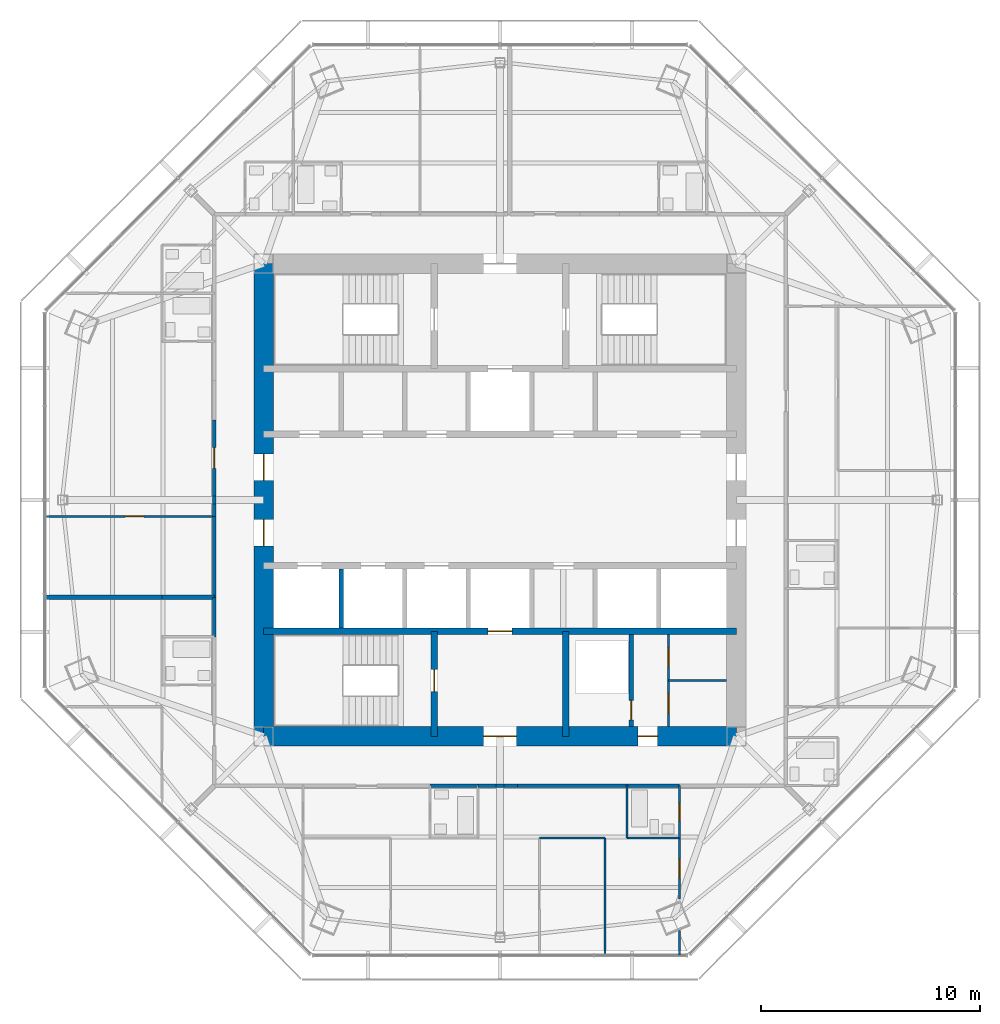
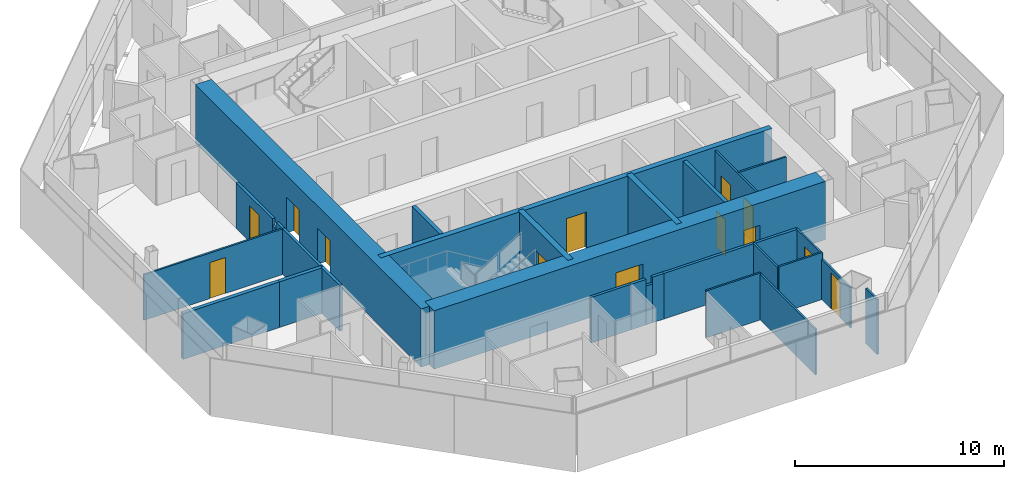
# One storey, part 9 of 14: 30 walls, 13 doors, 13 openings.
"""IFC4 building model written with IfcOpenShell, lengths in metres."""

from ifc_helpers import new_model, si_unit, direction, frame, frame_2d, origin, place, context, subcontext, project, spatial, rectangle, extrude, material, layer, layer_set, type_object, element, fill, save


model = new_model("IFC4")

# Units and contexts
model_context = context("Model", 3, precision=1e-05, world=origin(), true_north=direction((0.0, 1.0)))
body_context = subcontext(model_context, "Body", "Model", "MODEL_VIEW")
ifc_project = project(units=[si_unit("LENGTHUNIT", "METRE"), si_unit("AREAUNIT", "SQUARE_METRE"), si_unit("VOLUMEUNIT", "CUBIC_METRE"), si_unit("PLANEANGLEUNIT", "RADIAN"), si_unit("MASSUNIT", "GRAM", prefix="KILO")], contexts=[model_context])

# Site, building, storey
site_placement = place(None, origin())
site = spatial("IfcSite", under=ifc_project, at=site_placement, CompositionType="ELEMENT")
building_placement = place(site_placement, origin())
building = spatial("IfcBuilding", under=site, at=building_placement, Name="Mashrafa Tower", CompositionType="ELEMENT")
storey_placement = place(building_placement, frame((0.0, 0.0, 255.0)))
storey = spatial("IfcBuildingStorey", under=building, at=storey_placement, Name="L61", CompositionType="ELEMENT", Elevation=255.0)

# Walls
ifc_material_1 = material(Name="Gypsum board on steel studs", Category="steel")
ifc_layer_1 = layer(ifc_material_1, 0.199951171875)
ifc_layer_set_1 = layer_set([ifc_layer_1], Name="Acoustic partition 200 1 hr")
wall_type_1 = type_object("IfcWallType", Name="Acoustic partition 200 1 hr", PredefinedType="PARTITIONING", material=ifc_layer_set_1)
wall_1_placement = place(storey_placement, frame((-15.450927734375, -4.449951171875, 0.0), z_axis=(0.0, 0.0, 1.0), x_axis=(1.0, 0.0, 0.0)))
element("IfcWall", 1, at=wall_1_placement, inside=storey, type_object=wall_type_1, Name="Acoustic wall L61-079", PredefinedType="PARTITIONING", context=body_context, shape_type="SweptSolid", body=[
    extrude(rectangle(XDim=2.40087890625, YDim=0.199951171875, at=frame_2d((1.200439453125, 0.0))), origin(), (0.0, 0.0, 1.0), 2.66162109375),
])
wall_2_placement = place(storey_placement, frame((-20.783203125, -4.449951171875, 0.0), z_axis=(0.0, 0.0, 1.0), x_axis=(1.0, 0.0, 0.0)))
element("IfcWall", 2, at=wall_2_placement, inside=storey, type_object=wall_type_1, Name="Acoustic wall L61-080", PredefinedType="PARTITIONING", context=body_context, shape_type="SweptSolid", body=[
    extrude(rectangle(XDim=5.334228515625, YDim=0.199951171875, at=frame_2d((2.6669921875, 0.0))), origin(), (0.0, 0.0, 1.0), 2.66162109375),
])

# Wall, opening, door
ifc_material_2 = material(Name="Concrete masonry unit", Category="masonry")
ifc_layer_2 = layer(ifc_material_2, 0.199951171875)
ifc_layer_set_2 = layer_set([ifc_layer_2], Name="Blockwork wall 200 2 hr")
wall_type_2 = type_object("IfcWallType", Name="Blockwork wall 200 2 hr", PredefinedType="PARTITIONING", material=ifc_layer_set_2)
wall_3_placement = place(storey_placement, frame((6.0, -10.35009765625, 0.0), z_axis=(0.0, 0.0, 1.0), x_axis=(0.0, 1.0, 0.0)))
wall_3 = element("IfcWall", 3, at=wall_3_placement, inside=storey, type_object=wall_type_2, Name="Riser enclosure wall L61", PredefinedType="PARTITIONING", context=body_context, shape_type="SweptSolid", body=[
    extrude(rectangle(XDim=4.2001953125, YDim=0.199951171875, at=frame_2d((2.10009765625, 0.0))), origin(), (0.0, 0.0, 1.0), 3.199951171875),
])
opening_1_placement = place(wall_3_placement, frame((0.300048828125, 0.0, 0.0)))
opening_1 = element("IfcOpeningElement", 4, at=opening_1_placement, cuts=wall_3, Name="Opening 61.041", PredefinedType="OPENING", context=body_context, shape_type="SweptSolid", body=[
    extrude(rectangle(XDim=0.89990234375, YDim=2.10009765625, at=frame_2d((0.449951171875, 1.050048828125))), frame((0.0, 0.10986328125, 0.0), z_axis=(0.0, -1.0, 0.0), x_axis=(1.0, 0.0, 0.0)), (0.0, 0.0, 1.0), 0.219970703125),
])
ifc_material_3 = material(Name="Steel door", Category="steel")
door_type_1 = type_object("IfcDoorType", Name="Service door 900 x 2100 90 min", OperationType="USERDEFINED", PredefinedType="DOOR", material=ifc_material_3)
door_1_placement = place(opening_1_placement, origin())
door_1 = element("IfcDoor", 5, at=door_1_placement, inside=storey, type_object=door_type_1, Name="Riser door L61", OperationType="SINGLE_SWING_LEFT", OverallHeight=2.10009765625, OverallWidth=0.89990234375, PredefinedType="DOOR", context=body_context, shape_type="SweptSolid", body=[
    extrude(rectangle(XDim=0.89990234375, YDim=2.10009765625, at=frame_2d((0.449951171875, 1.050048828125))), frame((0.0, 0.02490234375, 0.0), z_axis=(0.0, -1.0, 0.0), x_axis=(1.0, 0.0, 0.0)), (0.0, 0.0, 1.0), 0.050048828125),
])
fill(opening_1, door_1)

ifc_material_4 = material(Name="Concrete C50/60", Category="concrete")
ifc_layer_3 = layer(ifc_material_4, 0.300048828125)
ifc_layer_set_3 = layer_set([ifc_layer_3], Name="Core wall 300 C50/60")
wall_type_3 = type_object("IfcWallType", Name="Core wall 300 C50/60", PredefinedType="SOLIDWALL", material=ifc_layer_set_3)
wall_4_placement = place(storey_placement, frame((-10.800048828125, -6.0, 0.0), z_axis=(0.0, 0.0, 1.0), x_axis=(1.0, 0.0, 0.0)))
wall_4 = element("IfcWall", 6, at=wall_4_placement, inside=storey, type_object=wall_type_3, Name="Core wall CB-S L61", PredefinedType="SOLIDWALL", context=body_context, shape_type="SweptSolid", body=[
    extrude(rectangle(XDim=21.60009765625, YDim=0.300048828125, at=frame_2d((10.800048828125, 0.0))), origin(), (0.0, 0.0, 1.0), 3.39990234375),
])
opening_2_placement = place(wall_4_placement, frame((10.25, 0.0, 0.0)))
opening_2 = element("IfcOpeningElement", 7, at=opening_2_placement, cuts=wall_4, Name="Opening 61.F2", PredefinedType="OPENING", context=body_context, shape_type="SweptSolid", body=[
    extrude(rectangle(XDim=1.10009765625, YDim=2.10009765625, at=frame_2d((0.550048828125, 1.050048828125))), frame((0.0, 0.159912109375, 0.0), z_axis=(0.0, -1.0, 0.0), x_axis=(1.0, 0.0, 0.0)), (0.0, 0.0, 1.0), 0.320068359375),
])
ifc_material_5 = material(Name="Steel door", Category="steel")
door_type_2 = type_object("IfcDoorType", Name="Lift landing door 1100 x 2100 90 min", OperationType="DOUBLE_DOOR_SLIDING", PredefinedType="DOOR", material=ifc_material_5)
door_2_placement = place(opening_2_placement, origin())
door_2 = element("IfcDoor", 8, at=door_2_placement, inside=storey, type_object=door_type_2, Name="Lift landing door F2 L61", OperationType="DOUBLE_DOOR_SLIDING", OverallHeight=2.10009765625, OverallWidth=1.10009765625, PredefinedType="DOOR", context=body_context, shape_type="SweptSolid", body=[
    extrude(rectangle(XDim=1.10009765625, YDim=2.10009765625, at=frame_2d((0.550048828125, 1.050048828125))), frame((0.0, 0.02490234375, 0.0), z_axis=(0.0, -1.0, 0.0), x_axis=(1.0, 0.0, 0.0)), (0.0, 0.0, 1.0), 0.050048828125),
])
fill(opening_2, door_2)

wall_5_placement = place(storey_placement, frame((-3.0, -6.0, 0.0), z_axis=(0.0, 0.0, 1.0), x_axis=(0.0, -1.0, 0.0)))
wall_5 = element("IfcWall", 9, at=wall_5_placement, inside=storey, type_object=wall_type_3, Name="Core wall CX-SW L61", PredefinedType="SOLIDWALL", context=body_context, shape_type="SweptSolid", body=[
    extrude(rectangle(XDim=4.800048828125, YDim=0.300048828125, at=frame_2d((2.39990234375, 0.0))), origin(), (0.0, 0.0, 1.0), 3.39990234375),
])
opening_3_placement = place(wall_5_placement, frame((1.75, 0.0, 0.0)))
opening_3 = element("IfcOpeningElement", 10, at=opening_3_placement, cuts=wall_5, Name="Opening 61.039", PredefinedType="OPENING", context=body_context, shape_type="SweptSolid", body=[
    extrude(rectangle(XDim=1.0, YDim=2.10009765625, at=frame_2d((0.5, 1.050048828125))), frame((0.0, 0.159912109375, 0.0), z_axis=(0.0, -1.0, 0.0), x_axis=(1.0, 0.0, 0.0)), (0.0, 0.0, 1.0), 0.320068359375),
])
ifc_material_6 = material(Name="Steel door", Category="steel")
door_type_3 = type_object("IfcDoorType", Name="Stair door 1000 x 2100 90 min", OperationType="USERDEFINED", PredefinedType="DOOR", material=ifc_material_6)
door_3_placement = place(opening_3_placement, frame((1.0, 0.0, 0.0), z_axis=(0.0, 0.0, 1.0), x_axis=(-1.0, 0.0, 0.0)))
door_3 = element("IfcDoor", 11, at=door_3_placement, inside=storey, type_object=door_type_3, Name="Stair S3 door L61", OperationType="SINGLE_SWING_RIGHT", OverallHeight=2.10009765625, OverallWidth=1.0, PredefinedType="DOOR", context=body_context, shape_type="SweptSolid", body=[
    extrude(rectangle(XDim=1.0, YDim=2.10009765625, at=frame_2d((0.5, 1.050048828125))), frame((0.0, 0.02490234375, 0.0), z_axis=(0.0, -1.0, 0.0), x_axis=(1.0, 0.0, 0.0)), (0.0, 0.0, 1.0), 0.050048828125),
])
fill(opening_3, door_3)

# Wall
wall_6_placement = place(storey_placement, frame((3.0, -6.0, 0.0), z_axis=(0.0, 0.0, 1.0), x_axis=(0.0, -1.0, 0.0)))
element("IfcWall", 12, at=wall_6_placement, inside=storey, type_object=wall_type_3, Name="Core wall CX-SE L61", PredefinedType="SOLIDWALL", context=body_context, shape_type="SweptSolid", body=[
    extrude(rectangle(XDim=4.800048828125, YDim=0.300048828125, at=frame_2d((2.39990234375, 0.0))), origin(), (0.0, 0.0, 1.0), 3.39990234375),
])

# Wall, openings, doors
ifc_material_7 = material(Name="Concrete C50/60", Category="concrete")
ifc_layer_4 = layer(ifc_material_7, 0.89990234375)
ifc_layer_set_4 = layer_set([ifc_layer_4], Name="Core wall 900 C50/60")
wall_type_4 = type_object("IfcWallType", Name="Core wall 900 C50/60", PredefinedType="SOLIDWALL", material=ifc_layer_set_4)
wall_7_placement = place(storey_placement, frame((-10.800048828125, -10.800048828125, 0.0), z_axis=(0.0, 0.0, 1.0), x_axis=(1.0, 0.0, 0.0)))
wall_7 = element("IfcWall", 13, at=wall_7_placement, inside=storey, type_object=wall_type_4, Name="Core wall CW-S L61", PredefinedType="SOLIDWALL", context=body_context, shape_type="SweptSolid", body=[
    extrude(rectangle(XDim=21.60009765625, YDim=0.89990234375, at=frame_2d((10.800048828125, 0.0))), origin(), (0.0, 0.0, 1.0), 3.39990234375),
])
opening_4_placement = place(wall_7_placement, frame((10.050048828125, 0.0, 0.0)))
opening_4 = element("IfcOpeningElement", 14, at=opening_4_placement, cuts=wall_7, Name="Opening 61.036", PredefinedType="OPENING", context=body_context, shape_type="SweptSolid", body=[
    extrude(rectangle(XDim=1.5, YDim=2.10009765625, at=frame_2d((0.75, 1.050048828125))), frame((0.0, 0.4599609375, 0.0), z_axis=(0.0, -1.0, 0.0), x_axis=(1.0, 0.0, 0.0)), (0.0, 0.0, 1.0), 0.919921875),
])
opening_5_placement = place(wall_7_placement, frame((17.10009765625, 0.0, 0.0)))
opening_5 = element("IfcOpeningElement", 15, at=opening_5_placement, cuts=wall_7, Name="Opening 61.040", PredefinedType="OPENING", context=body_context, shape_type="SweptSolid", body=[
    extrude(rectangle(XDim=0.89990234375, YDim=2.10009765625, at=frame_2d((0.449951171875, 1.050048828125))), frame((0.0, 0.4599609375, 0.0), z_axis=(0.0, -1.0, 0.0), x_axis=(1.0, 0.0, 0.0)), (0.0, 0.0, 1.0), 0.919921875),
])
ifc_material_8 = material(Name="Steel door", Category="steel")
door_type_4 = type_object("IfcDoorType", Name="Lobby door pair 1500 x 2100 90 min", OperationType="DOUBLE_DOOR_SINGLE_SWING", PredefinedType="DOOR", material=ifc_material_8)
door_4_placement = place(opening_4_placement, origin())
door_4 = element("IfcDoor", 16, at=door_4_placement, inside=storey, type_object=door_type_4, Name="Fire-fighting lobby F2 door L61", OperationType="DOUBLE_DOOR_SINGLE_SWING", OverallHeight=2.10009765625, OverallWidth=1.5, PredefinedType="DOOR", context=body_context, shape_type="SweptSolid", body=[
    extrude(rectangle(XDim=1.5, YDim=2.10009765625, at=frame_2d((0.75, 1.050048828125))), frame((0.0, 0.02490234375, 0.0), z_axis=(0.0, -1.0, 0.0), x_axis=(1.0, 0.0, 0.0)), (0.0, 0.0, 1.0), 0.050048828125),
])
fill(opening_4, door_4)
door_5_placement = place(opening_5_placement, frame((0.89990234375, 0.0, 0.0), z_axis=(0.0, 0.0, 1.0), x_axis=(-1.0, 0.0, 0.0)))
door_5 = element("IfcDoor", 17, at=door_5_placement, inside=storey, type_object=door_type_1, Name="Services Lobby L61 door", OperationType="SINGLE_SWING_LEFT", OverallHeight=2.10009765625, OverallWidth=0.89990234375, PredefinedType="DOOR", context=body_context, shape_type="SweptSolid", body=[
    extrude(rectangle(XDim=0.89990234375, YDim=2.10009765625, at=frame_2d((0.449951171875, 1.050048828125))), frame((0.0, 0.02490234375, 0.0), z_axis=(0.0, -1.0, 0.0), x_axis=(1.0, 0.0, 0.0)), (0.0, 0.0, 1.0), 0.050048828125),
])
fill(opening_5, door_5)

wall_8_placement = place(storey_placement, frame((-10.800048828125, 10.800048828125, 0.0), z_axis=(0.0, 0.0, 1.0), x_axis=(0.0, -1.0, 0.0)))
wall_8 = element("IfcWall", 18, at=wall_8_placement, inside=storey, type_object=wall_type_4, Name="Core wall CW-W L61", PredefinedType="SOLIDWALL", context=body_context, shape_type="SweptSolid", body=[
    extrude(rectangle(XDim=21.60009765625, YDim=0.89990234375, at=frame_2d((10.800048828125, 0.0))), origin(), (0.0, 0.0, 1.0), 3.39990234375),
])
opening_6_placement = place(wall_8_placement, frame((8.699951171875, 0.0, 0.0)))
opening_6 = element("IfcOpeningElement", 19, at=opening_6_placement, cuts=wall_8, Name="Opening 61.032", PredefinedType="OPENING", context=body_context, shape_type="SweptSolid", body=[
    extrude(rectangle(XDim=1.199951171875, YDim=2.10009765625, at=frame_2d((0.60009765625, 1.050048828125))), frame((0.0, 0.4599609375, 0.0), z_axis=(0.0, -1.0, 0.0), x_axis=(1.0, 0.0, 0.0)), (0.0, 0.0, 1.0), 0.919921875),
])
opening_7_placement = place(wall_8_placement, frame((11.699951171875, 0.0, 0.0)))
opening_7 = element("IfcOpeningElement", 20, at=opening_7_placement, cuts=wall_8, Name="Opening 61.034", PredefinedType="OPENING", context=body_context, shape_type="SweptSolid", body=[
    extrude(rectangle(XDim=1.199951171875, YDim=2.10009765625, at=frame_2d((0.60009765625, 1.050048828125))), frame((0.0, 0.4599609375, 0.0), z_axis=(0.0, -1.0, 0.0), x_axis=(1.0, 0.0, 0.0)), (0.0, 0.0, 1.0), 0.919921875),
])
ifc_material_9 = material(Name="Steel door", Category="steel")
door_type_5 = type_object("IfcDoorType", Name="Lift hall door 1200 x 2100 90 min", OperationType="USERDEFINED", PredefinedType="DOOR", material=ifc_material_9)
door_6_placement = place(opening_6_placement, frame((1.199951171875, 0.0, 0.0), z_axis=(0.0, 0.0, 1.0), x_axis=(-1.0, 0.0, 0.0)))
door_6 = element("IfcDoor", 21, at=door_6_placement, inside=storey, type_object=door_type_5, Name="Lift hall door west L61", OperationType="SINGLE_SWING_RIGHT", OverallHeight=2.10009765625, OverallWidth=1.199951171875, PredefinedType="DOOR", context=body_context, shape_type="SweptSolid", body=[
    extrude(rectangle(XDim=1.199951171875, YDim=2.10009765625, at=frame_2d((0.60009765625, 1.050048828125))), frame((0.0, 0.02490234375, 0.0), z_axis=(0.0, -1.0, 0.0), x_axis=(1.0, 0.0, 0.0)), (0.0, 0.0, 1.0), 0.050048828125),
])
fill(opening_6, door_6)
door_7_placement = place(opening_7_placement, frame((1.199951171875, 0.0, 0.0), z_axis=(0.0, 0.0, 1.0), x_axis=(-1.0, 0.0, 0.0)))
door_7 = element("IfcDoor", 22, at=door_7_placement, inside=storey, type_object=door_type_5, Name="Lift hall door west L61", OperationType="SINGLE_SWING_LEFT", OverallHeight=2.10009765625, OverallWidth=1.199951171875, PredefinedType="DOOR", context=body_context, shape_type="SweptSolid", body=[
    extrude(rectangle(XDim=1.199951171875, YDim=2.10009765625, at=frame_2d((0.60009765625, 1.050048828125))), frame((0.0, 0.02490234375, 0.0), z_axis=(0.0, -1.0, 0.0), x_axis=(1.0, 0.0, 0.0)), (0.0, 0.0, 1.0), 0.050048828125),
])
fill(opening_7, door_7)

# Wall
ifc_material_10 = material(Name="Gypsum board on steel studs", Category="steel")
ifc_layer_5 = layer(ifc_material_10, 0.14990234375)
ifc_layer_set_5 = layer_set([ifc_layer_5], Name="Corridor partition 150 1 hr")
wall_type_5 = type_object("IfcWallType", Name="Corridor partition 150 1 hr", PredefinedType="PARTITIONING", material=ifc_layer_set_5)
wall_9_placement = place(storey_placement, frame((-13.050048828125, -0.7490234375, 0.0), z_axis=(0.0, 0.0, 1.0), x_axis=(0.0, -1.0, 0.0)))
element("IfcWall", 23, at=wall_9_placement, inside=storey, type_object=wall_type_5, Name="Corridor wall L61-025", PredefinedType="PARTITIONING", context=body_context, shape_type="SweptSolid", body=[
    extrude(rectangle(XDim=3.701904296875, YDim=0.14990234375, at=frame_2d((1.85107421875, 0.0))), origin(), (0.0, 0.0, 1.0), 2.66162109375),
])

# Wall, opening, door
wall_10_placement = place(storey_placement, frame((-13.050048828125, 3.65087890625, 0.0), z_axis=(0.0, 0.0, 1.0), x_axis=(0.0, -1.0, 0.0)))
wall_10 = element("IfcWall", 24, at=wall_10_placement, inside=storey, type_object=wall_type_5, Name="Corridor wall L61-026", PredefinedType="PARTITIONING", context=body_context, shape_type="SweptSolid", body=[
    extrude(rectangle(XDim=3.468505859375, YDim=0.14990234375, at=frame_2d((1.734375, 0.0))), origin(), (0.0, 0.0, 1.0), 2.66162109375),
])
opening_8_placement = place(wall_10_placement, frame((1.25927734375, 0.0, 0.0)))
opening_8 = element("IfcOpeningElement", 25, at=opening_8_placement, cuts=wall_10, Name="Opening 61.020", PredefinedType="OPENING", context=body_context, shape_type="SweptSolid", body=[
    extrude(rectangle(XDim=0.949951171875, YDim=2.10009765625, at=frame_2d((0.47509765625, 1.050048828125))), frame((0.0, 0.0849609375, 0.0), z_axis=(0.0, -1.0, 0.0), x_axis=(1.0, 0.0, 0.0)), (0.0, 0.0, 1.0), 0.169921875),
])
ifc_material_11 = material(Name="Steel door", Category="steel")
door_type_6 = type_object("IfcDoorType", Name="Residence entrance door 950 x 2100 20 min", OperationType="USERDEFINED", PredefinedType="DOOR", material=ifc_material_11)
door_8_placement = place(opening_8_placement, frame((0.949951171875, 0.0, 0.0), z_axis=(0.0, 0.0, 1.0), x_axis=(-1.0, 0.0, 0.0)))
door_8 = element("IfcDoor", 26, at=door_8_placement, inside=storey, type_object=door_type_6, Name="Apartment 6104 Living Room door", OperationType="SINGLE_SWING_RIGHT", OverallHeight=2.10009765625, OverallWidth=0.949951171875, PredefinedType="DOOR", context=body_context, shape_type="SweptSolid", body=[
    extrude(rectangle(XDim=0.949951171875, YDim=2.10009765625, at=frame_2d((0.47509765625, 1.050048828125))), frame((0.0, 0.02490234375, 0.0), z_axis=(0.0, -1.0, 0.0), x_axis=(1.0, 0.0, 0.0)), (0.0, 0.0, 1.0), 0.050048828125),
])
fill(opening_8, door_8)

# Walls
wall_11_placement = place(storey_placement, frame((-13.050048828125, -0.182373046875, 0.0), z_axis=(0.0, 0.0, 1.0), x_axis=(0.0, -1.0, 0.0)))
element("IfcWall", 27, at=wall_11_placement, inside=storey, type_object=wall_type_5, Name="Corridor wall L61-027", PredefinedType="PARTITIONING", context=body_context, shape_type="SweptSolid", body=[
    extrude(rectangle(XDim=0.568603515625, YDim=0.14990234375, at=frame_2d((0.2841796875, 0.0))), origin(), (0.0, 0.0, 1.0), 2.66162109375),
])
wall_12_placement = place(storey_placement, frame((-13.050048828125, 0.182373046875, 0.0), z_axis=(0.0, 0.0, 1.0), x_axis=(0.0, -1.0, 0.0)))
element("IfcWall", 28, at=wall_12_placement, inside=storey, type_object=wall_type_5, Name="Corridor wall L61-028", PredefinedType="PARTITIONING", context=body_context, shape_type="SweptSolid", body=[
    extrude(rectangle(XDim=0.36474609375, YDim=0.14990234375, at=frame_2d((0.182373046875, 0.0))), origin(), (0.0, 0.0, 1.0), 2.26806640625),
])
wall_13_placement = place(storey_placement, frame((-13.050048828125, -4.448974609375, 0.0), z_axis=(0.0, 0.0, 1.0), x_axis=(0.0, -1.0, 0.0)))
element("IfcWall", 29, at=wall_13_placement, inside=storey, type_object=wall_type_5, Name="Corridor wall L61-031", PredefinedType="PARTITIONING", context=body_context, shape_type="SweptSolid", body=[
    extrude(rectangle(XDim=1.802001953125, YDim=0.14990234375, at=frame_2d((0.90087890625, 0.0))), origin(), (0.0, 0.0, 1.0), 2.66162109375),
])
wall_14_placement = place(storey_placement, frame((-3.200927734375, -13.050048828125, 0.0), z_axis=(0.0, 0.0, 1.0), x_axis=(1.0, 0.0, 0.0)))
element("IfcWall", 30, at=wall_14_placement, inside=storey, type_object=wall_type_5, Name="Corridor wall L61-034", PredefinedType="PARTITIONING", context=body_context, shape_type="SweptSolid", body=[
    extrude(rectangle(XDim=2.201904296875, YDim=0.14990234375, at=frame_2d((1.10107421875, 0.0))), origin(), (0.0, 0.0, 1.0), 2.66162109375),
])
wall_15_placement = place(storey_placement, frame((-1.0009765625, -13.050048828125, 0.0), z_axis=(0.0, 0.0, 1.0), x_axis=(1.0, 0.0, 0.0)))
element("IfcWall", 31, at=wall_15_placement, inside=storey, type_object=wall_type_5, Name="Corridor wall L61-035", PredefinedType="PARTITIONING", context=body_context, shape_type="SweptSolid", body=[
    extrude(rectangle(XDim=0.818603515625, YDim=0.14990234375, at=frame_2d((0.4091796875, 0.0))), origin(), (0.0, 0.0, 1.0), 2.66162109375),
])
wall_16_placement = place(storey_placement, frame((0.182373046875, -13.050048828125, 0.0), z_axis=(0.0, 0.0, 1.0), x_axis=(1.0, 0.0, 0.0)))
element("IfcWall", 32, at=wall_16_placement, inside=storey, type_object=wall_type_5, Name="Corridor wall L61-036", PredefinedType="PARTITIONING", context=body_context, shape_type="SweptSolid", body=[
    extrude(rectangle(XDim=0.61865234375, YDim=0.14990234375, at=frame_2d((0.309326171875, 0.0))), origin(), (0.0, 0.0, 1.0), 2.66162109375),
])
wall_17_placement = place(storey_placement, frame((-0.182373046875, -13.050048828125, 0.0), z_axis=(0.0, 0.0, 1.0), x_axis=(1.0, 0.0, 0.0)))
element("IfcWall", 33, at=wall_17_placement, inside=storey, type_object=wall_type_5, Name="Corridor wall L61-037", PredefinedType="PARTITIONING", context=body_context, shape_type="SweptSolid", body=[
    extrude(rectangle(XDim=0.36474609375, YDim=0.14990234375, at=frame_2d((0.182373046875, 0.0))), origin(), (0.0, 0.0, 1.0), 2.26806640625),
])
wall_18_placement = place(storey_placement, frame((5.799072265625, -13.050048828125, 0.0), z_axis=(0.0, 0.0, 1.0), x_axis=(1.0, 0.0, 0.0)))
element("IfcWall", 34, at=wall_18_placement, inside=storey, type_object=wall_type_5, Name="Corridor wall L61-038", PredefinedType="PARTITIONING", context=body_context, shape_type="SweptSolid", body=[
    extrude(rectangle(XDim=2.40185546875, YDim=0.14990234375, at=frame_2d((1.200927734375, 0.0))), origin(), (0.0, 0.0, 1.0), 2.66162109375),
])
wall_19_placement = place(storey_placement, frame((0.799072265625, -13.050048828125, 0.0), z_axis=(0.0, 0.0, 1.0), x_axis=(1.0, 0.0, 0.0)))
element("IfcWall", 35, at=wall_19_placement, inside=storey, type_object=wall_type_5, Name="Corridor wall L61-041", PredefinedType="PARTITIONING", context=body_context, shape_type="SweptSolid", body=[
    extrude(rectangle(XDim=5.001953125, YDim=0.14990234375, at=frame_2d((2.5009765625, 0.0))), origin(), (0.0, 0.0, 1.0), 2.66162109375),
])

# Wall, opening, door
ifc_material_12 = material(Name="Gypsum board on steel studs", Category="steel")
ifc_layer_6 = layer(ifc_material_12, 0.10009765625)
ifc_layer_set_6 = layer_set([ifc_layer_6], Name="Partition 100")
wall_type_6 = type_object("IfcWallType", Name="Partition 100", PredefinedType="PARTITIONING", material=ifc_layer_set_6)
wall_20_placement = place(storey_placement, frame((-13.050048828125, -0.75, 0.0), z_axis=(0.0, 0.0, 1.0), x_axis=(-1.0, 0.0, 0.0)))
wall_20 = element("IfcWall", 36, at=wall_20_placement, inside=storey, type_object=wall_type_6, Name="Partition wall L61-078", PredefinedType="PARTITIONING", context=body_context, shape_type="SweptSolid", body=[
    extrude(rectangle(XDim=7.735107421875, YDim=0.10009765625, at=frame_2d((3.86767578125, 0.0))), origin(), (0.0, 0.0, 1.0), 2.66162109375),
])
opening_9_placement = place(wall_20_placement, frame((3.2255859375, 0.0, 0.0)))
opening_9 = element("IfcOpeningElement", 37, at=opening_9_placement, cuts=wall_20, Name="Opening 61.019", PredefinedType="OPENING", context=body_context, shape_type="SweptSolid", body=[
    extrude(rectangle(XDim=0.85009765625, YDim=2.10009765625, at=frame_2d((0.425048828125, 1.050048828125))), frame((0.0, 0.06005859375, 0.0), z_axis=(0.0, -1.0, 0.0), x_axis=(1.0, 0.0, 0.0)), (0.0, 0.0, 1.0), 0.1201171875),
])
ifc_material_13 = material(Name="Timber door", Category="wood")
door_type_7 = type_object("IfcDoorType", Name="Bedroom door 850 x 2100", OperationType="USERDEFINED", PredefinedType="DOOR", material=ifc_material_13)
door_9_placement = place(opening_9_placement, origin())
door_9 = element("IfcDoor", 38, at=door_9_placement, inside=storey, type_object=door_type_7, Name="Apartment 6104 Bedroom 2 door", OperationType="SINGLE_SWING_RIGHT", OverallHeight=2.10009765625, OverallWidth=0.85009765625, PredefinedType="DOOR", context=body_context, shape_type="SweptSolid", body=[
    extrude(rectangle(XDim=0.85009765625, YDim=2.10009765625, at=frame_2d((0.425048828125, 1.050048828125))), frame((0.0, 0.02490234375, 0.0), z_axis=(0.0, -1.0, 0.0), x_axis=(1.0, 0.0, 0.0)), (0.0, 0.0, 1.0), 0.050048828125),
])
fill(opening_9, door_9)

wall_21_placement = place(storey_placement, frame((8.199951171875, -15.449951171875, 0.0), z_axis=(0.0, 0.0, 1.0), x_axis=(0.0, 1.0, 0.0)))
wall_21 = element("IfcWall", 39, at=wall_21_placement, inside=storey, type_object=wall_type_6, Name="Partition wall L61-094", PredefinedType="PARTITIONING", context=body_context, shape_type="SweptSolid", body=[
    extrude(rectangle(XDim=2.39990234375, YDim=0.10009765625, at=frame_2d((1.199951171875, 0.0))), origin(), (0.0, 0.0, 1.0), 2.66162109375),
])
opening_10_placement = place(wall_21_placement, frame((0.800048828125, 0.0, 0.0)))
opening_10 = element("IfcOpeningElement", 40, at=opening_10_placement, cuts=wall_21, Name="Opening 61.027", PredefinedType="OPENING", context=body_context, shape_type="SweptSolid", body=[
    extrude(rectangle(XDim=0.800048828125, YDim=2.10009765625, at=frame_2d((0.39990234375, 1.050048828125))), frame((0.0, 0.06005859375, 0.0), z_axis=(0.0, -1.0, 0.0), x_axis=(1.0, 0.0, 0.0)), (0.0, 0.0, 1.0), 0.1201171875),
])
ifc_material_14 = material(Name="Timber door", Category="wood")
door_type_8 = type_object("IfcDoorType", Name="Bathroom door 800 x 2100", OperationType="USERDEFINED", PredefinedType="DOOR", material=ifc_material_14)
door_10_placement = place(opening_10_placement, origin())
door_10 = element("IfcDoor", 41, at=door_10_placement, inside=storey, type_object=door_type_8, Name="Apartment 6106 En-suite Bathroom door", OperationType="SINGLE_SWING_RIGHT", OverallHeight=2.10009765625, OverallWidth=0.800048828125, PredefinedType="DOOR", context=body_context, shape_type="SweptSolid", body=[
    extrude(rectangle(XDim=0.800048828125, YDim=2.10009765625, at=frame_2d((0.39990234375, 1.050048828125))), frame((0.0, 0.02490234375, 0.0), z_axis=(0.0, -1.0, 0.0), x_axis=(1.0, 0.0, 0.0)), (0.0, 0.0, 1.0), 0.050048828125),
])
fill(opening_10, door_10)

# Walls
wall_22_placement = place(storey_placement, frame((5.800048828125, -13.050048828125, 0.0), z_axis=(0.0, 0.0, 1.0), x_axis=(0.0, -1.0, 0.0)))
element("IfcWall", 42, at=wall_22_placement, inside=storey, type_object=wall_type_6, Name="Partition wall L61-095", PredefinedType="PARTITIONING", context=body_context, shape_type="SweptSolid", body=[
    extrude(rectangle(XDim=2.39990234375, YDim=0.10009765625, at=frame_2d((1.199951171875, 0.0))), origin(), (0.0, 0.0, 1.0), 2.66162109375),
])
wall_23_placement = place(storey_placement, frame((5.800048828125, -15.449951171875, 0.0), z_axis=(0.0, 0.0, 1.0), x_axis=(1.0, 0.0, 0.0)))
element("IfcWall", 43, at=wall_23_placement, inside=storey, type_object=wall_type_6, Name="Partition wall L61-096", PredefinedType="PARTITIONING", context=body_context, shape_type="SweptSolid", body=[
    extrude(rectangle(XDim=2.39990234375, YDim=0.10009765625, at=frame_2d((1.199951171875, 0.0))), origin(), (0.0, 0.0, 1.0), 2.740478515625),
])

# Wall, opening, door
wall_24_placement = place(storey_placement, frame((8.199951171875, -15.448974609375, 0.0), z_axis=(0.0, 0.0, 1.0), x_axis=(0.0, -1.0, 0.0)))
wall_24 = element("IfcWall", 44, at=wall_24_placement, inside=storey, type_object=wall_type_6, Name="Partition wall L61-097", PredefinedType="PARTITIONING", context=body_context, shape_type="SweptSolid", body=[
    extrude(rectangle(XDim=2.775390625, YDim=0.10009765625, at=frame_2d((1.3876953125, 0.0))), origin(), (0.0, 0.0, 1.0), 2.349365234375),
])
opening_11_placement = place(wall_24_placement, frame((0.962646484375, 0.0, 0.0)))
opening_11 = element("IfcOpeningElement", 45, at=opening_11_placement, cuts=wall_24, Name="Opening 61.028", PredefinedType="OPENING", context=body_context, shape_type="SweptSolid", body=[
    extrude(rectangle(XDim=0.85009765625, YDim=2.10009765625, at=frame_2d((0.425048828125, 1.050048828125))), frame((0.0, 0.06005859375, 0.0), z_axis=(0.0, -1.0, 0.0), x_axis=(1.0, 0.0, 0.0)), (0.0, 0.0, 1.0), 0.1201171875),
])
door_11_placement = place(opening_11_placement, origin())
door_11 = element("IfcDoor", 46, at=door_11_placement, inside=storey, type_object=door_type_7, Name="Apartment 6106 Bedroom 3 door", OperationType="SINGLE_SWING_RIGHT", OverallHeight=2.10009765625, OverallWidth=0.85009765625, PredefinedType="DOOR", context=body_context, shape_type="SweptSolid", body=[
    extrude(rectangle(XDim=0.85009765625, YDim=2.10009765625, at=frame_2d((0.425048828125, 1.050048828125))), frame((0.0, 0.02490234375, 0.0), z_axis=(0.0, -1.0, 0.0), x_axis=(1.0, 0.0, 0.0)), (0.0, 0.0, 1.0), 0.050048828125),
])
fill(opening_11, door_11)

# Walls
wall_25_placement = place(storey_placement, frame((8.199951171875, -19.677734375, 0.0), z_axis=(0.0, 0.0, 1.0), x_axis=(0.0, -1.0, 0.0)))
element("IfcWall", 47, at=wall_25_placement, inside=storey, type_object=wall_type_6, Name="Partition wall L61-098", PredefinedType="PARTITIONING", context=body_context, shape_type="SweptSolid", body=[
    extrude(rectangle(XDim=1.10546875, YDim=0.10009765625, at=frame_2d((0.552734375, 0.0))), origin(), (0.0, 0.0, 1.0), 3.199951171875),
])
wall_26_placement = place(storey_placement, frame((1.800048828125, -15.449951171875, 0.0), z_axis=(0.0, 0.0, 1.0), x_axis=(1.0, 0.0, 0.0)))
element("IfcWall", 48, at=wall_26_placement, inside=storey, type_object=wall_type_6, Name="Partition wall L61-100", PredefinedType="PARTITIONING", context=body_context, shape_type="SweptSolid", body=[
    extrude(rectangle(XDim=3.0, YDim=0.10009765625, at=frame_2d((1.5, 0.0))), origin(), (0.0, 0.0, 1.0), 2.740478515625),
])
wall_27_placement = place(storey_placement, frame((4.800048828125, -15.449951171875, 0.0), z_axis=(0.0, 0.0, 1.0), x_axis=(0.0, -1.0, 0.0)))
element("IfcWall", 49, at=wall_27_placement, inside=storey, type_object=wall_type_6, Name="Partition wall L61-101", PredefinedType="PARTITIONING", context=body_context, shape_type="SweptSolid", body=[
    extrude(rectangle(XDim=5.333251953125, YDim=0.10009765625, at=frame_2d((2.66650390625, 0.0))), origin(), (0.0, 0.0, 1.0), 2.66162109375),
])

# Wall, openings, doors
ifc_material_15 = material(Name="Gypsum board on steel studs", Category="steel")
ifc_layer_7 = layer(ifc_material_15, 0.10009765625)
ifc_layer_set_7 = layer_set([ifc_layer_7], Name="Partition 100 1 hr")
wall_type_7 = type_object("IfcWallType", Name="Partition 100 1 hr", PredefinedType="PARTITIONING", material=ifc_layer_set_7)
wall_28_placement = place(storey_placement, frame((7.699951171875, -10.35009765625, 0.0), z_axis=(0.0, 0.0, 1.0), x_axis=(0.0, 1.0, 0.0)))
wall_28 = element("IfcWall", 50, at=wall_28_placement, inside=storey, type_object=wall_type_7, Name="Services lobby partition A L61", PredefinedType="PARTITIONING", context=body_context, shape_type="SweptSolid", body=[
    extrude(rectangle(XDim=4.2001953125, YDim=0.10009765625, at=frame_2d((2.10009765625, 0.0))), origin(), (0.0, 0.0, 1.0), 3.199951171875),
])
opening_12_placement = place(wall_28_placement, frame((2.699951171875, 0.0, 0.0)))
opening_12 = element("IfcOpeningElement", 51, at=opening_12_placement, cuts=wall_28, Name="Opening 61.042", PredefinedType="OPENING", context=body_context, shape_type="SweptSolid", body=[
    extrude(rectangle(XDim=0.89990234375, YDim=2.10009765625, at=frame_2d((0.449951171875, 1.050048828125))), frame((0.0, 0.06005859375, 0.0), z_axis=(0.0, -1.0, 0.0), x_axis=(1.0, 0.0, 0.0)), (0.0, 0.0, 1.0), 0.1201171875),
])
opening_13_placement = place(wall_28_placement, frame((0.60009765625, 0.0, 0.0)))
opening_13 = element("IfcOpeningElement", 52, at=opening_13_placement, cuts=wall_28, Name="Opening 61.043", PredefinedType="OPENING", context=body_context, shape_type="SweptSolid", body=[
    extrude(rectangle(XDim=0.89990234375, YDim=2.10009765625, at=frame_2d((0.449951171875, 1.050048828125))), frame((0.0, 0.06005859375, 0.0), z_axis=(0.0, -1.0, 0.0), x_axis=(1.0, 0.0, 0.0)), (0.0, 0.0, 1.0), 0.1201171875),
])
ifc_material_16 = material(Name="Timber door", Category="wood")
door_type_9 = type_object("IfcDoorType", Name="Store door 900 x 2100", OperationType="USERDEFINED", PredefinedType="DOOR", material=ifc_material_16)
door_12_placement = place(opening_12_placement, frame((0.89990234375, 0.0, 0.0), z_axis=(0.0, 0.0, 1.0), x_axis=(-1.0, 0.0, 0.0)))
door_12 = element("IfcDoor", 53, at=door_12_placement, inside=storey, type_object=door_type_9, Name="Communications Room L61 door", OperationType="SINGLE_SWING_RIGHT", OverallHeight=2.10009765625, OverallWidth=0.89990234375, PredefinedType="DOOR", context=body_context, shape_type="SweptSolid", body=[
    extrude(rectangle(XDim=0.89990234375, YDim=2.10009765625, at=frame_2d((0.449951171875, 1.050048828125))), frame((0.0, 0.02490234375, 0.0), z_axis=(0.0, -1.0, 0.0), x_axis=(1.0, 0.0, 0.0)), (0.0, 0.0, 1.0), 0.050048828125),
])
fill(opening_12, door_12)
door_13_placement = place(opening_13_placement, frame((0.89990234375, 0.0, 0.0), z_axis=(0.0, 0.0, 1.0), x_axis=(-1.0, 0.0, 0.0)))
door_13 = element("IfcDoor", 54, at=door_13_placement, inside=storey, type_object=door_type_9, Name="Building Services Store L61 door", OperationType="SINGLE_SWING_LEFT", OverallHeight=2.10009765625, OverallWidth=0.89990234375, PredefinedType="DOOR", context=body_context, shape_type="SweptSolid", body=[
    extrude(rectangle(XDim=0.89990234375, YDim=2.10009765625, at=frame_2d((0.449951171875, 1.050048828125))), frame((0.0, 0.02490234375, 0.0), z_axis=(0.0, -1.0, 0.0), x_axis=(1.0, 0.0, 0.0)), (0.0, 0.0, 1.0), 0.050048828125),
])
fill(opening_13, door_13)

# Walls
wall_29_placement = place(storey_placement, frame((7.699951171875, -8.25, 0.0), z_axis=(0.0, 0.0, 1.0), x_axis=(1.0, 0.0, 0.0)))
element("IfcWall", 55, at=wall_29_placement, inside=storey, type_object=wall_type_7, Name="Services lobby partition B L61", PredefinedType="PARTITIONING", context=body_context, shape_type="SweptSolid", body=[
    extrude(rectangle(XDim=2.650146484375, YDim=0.10009765625, at=frame_2d((1.3251953125, 0.0))), origin(), (0.0, 0.0, 1.0), 3.199951171875),
])
ifc_material_17 = material(Name="Gypsum shaft wall on steel studs", Category="steel")
ifc_layer_8 = layer(ifc_material_17, 0.199951171875)
ifc_layer_set_8 = layer_set([ifc_layer_8], Name="Shaft divider wall 200 2 hr")
wall_type_8 = type_object("IfcWallType", Name="Shaft divider wall 200 2 hr", PredefinedType="PARTITIONING", material=ifc_layer_set_8)
wall_30_placement = place(storey_placement, frame((-7.25, -5.85009765625, 0.0), z_axis=(0.0, 0.0, 1.0), x_axis=(0.0, 1.0, 0.0)))
element("IfcWall", 56, at=wall_30_placement, inside=storey, type_object=wall_type_8, Name="Shaft divider wall S1 L61", PredefinedType="PARTITIONING", context=body_context, shape_type="SweptSolid", body=[
    extrude(rectangle(XDim=2.7001953125, YDim=0.199951171875, at=frame_2d((1.35009765625, 0.0))), origin(), (0.0, 0.0, 1.0), 3.39990234375),
])

save(model, "model.ifc")
